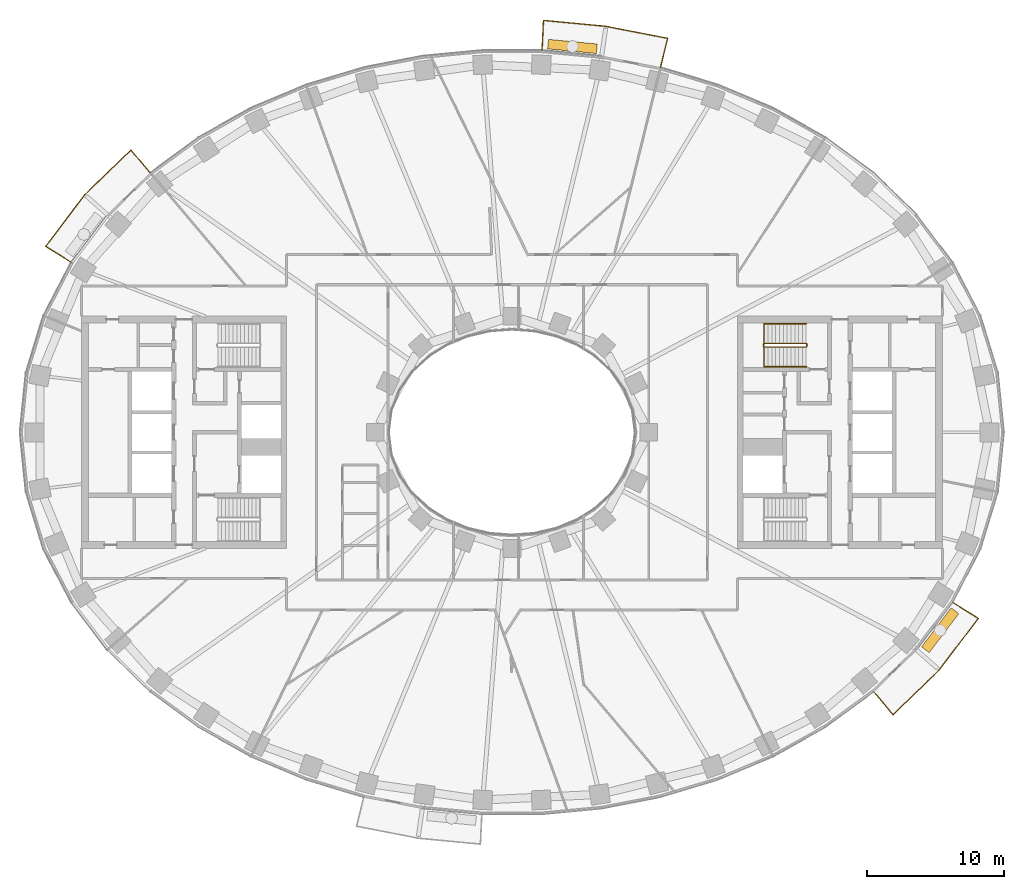
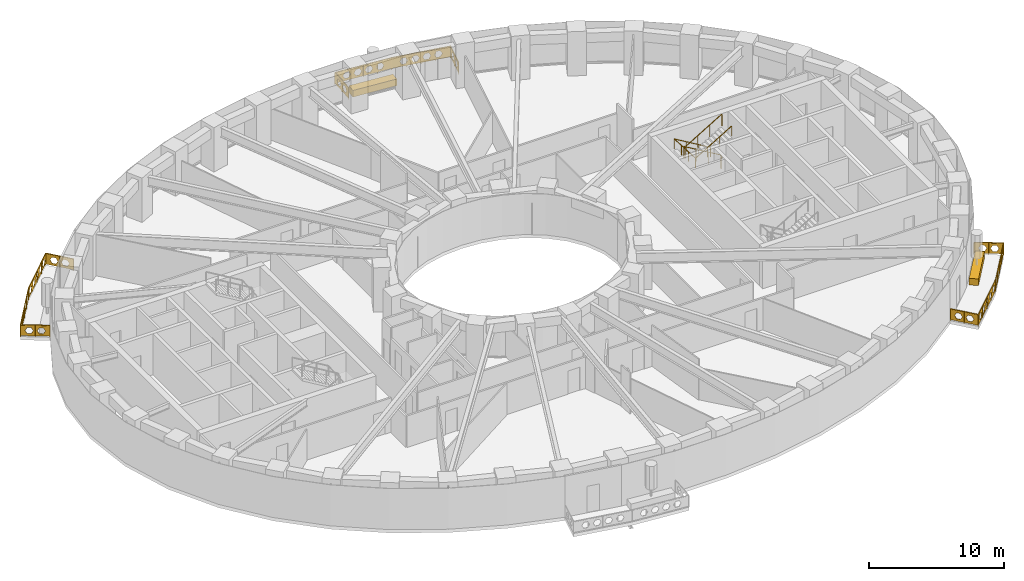
# One storey, part 15 of 16: 5 railings, 2 coverings.
"""IFC4 building model written with IfcOpenShell, lengths in metres."""

from ifc_helpers import new_model, si_unit, direction, frame, origin, origin_2d, place, context, subcontext, project, spatial, polyline, rectangle, outline, extrude, material, type_object, element, save


model = new_model("IFC4")

# Units and contexts
model_context = context("Model", 3, precision=1e-05, world=origin(), true_north=direction((0.0, 1.0)))
body_context = subcontext(model_context, "Body", "Model", "MODEL_VIEW")
ifc_project = project(units=[si_unit("LENGTHUNIT", "METRE"), si_unit("AREAUNIT", "SQUARE_METRE"), si_unit("VOLUMEUNIT", "CUBIC_METRE"), si_unit("PLANEANGLEUNIT", "RADIAN"), si_unit("MASSUNIT", "GRAM", prefix="KILO")], contexts=[model_context])

# Site, building, storey
site_placement = place(None, origin())
site = spatial("IfcSite", under=ifc_project, at=site_placement, CompositionType="ELEMENT")
building_placement = place(site_placement, origin())
building = spatial("IfcBuilding", under=site, at=building_placement, Name="Noorbagh Ring Tower", CompositionType="ELEMENT")
storey_placement = place(building_placement, frame((0.0, 0.0, 58.5)))
storey = spatial("IfcBuildingStorey", under=building, at=storey_placement, Name="L12", CompositionType="ELEMENT", Elevation=58.5)

# Railings
ifc_material_1 = material(Name="Stainless steel", Category="steel")
railing_type_1 = type_object("IfcRailingType", Name="CORE-STAIR-GUARD", PredefinedType="GUARDRAIL", material=ifc_material_1)
railing_1_placement = place(storey_placement, frame((21.580078125, 6.449951171875, 0.0)))
element("IfcRailing", 1, at=railing_1_placement, inside=storey, type_object=railing_type_1, Name="L12 ST3 stair guard", PredefinedType="GUARDRAIL", context=body_context, shape_type="SweptSolid", body=[
    extrude(rectangle(XDim=0.048095703125, YDim=0.048095703125, at=origin_2d()), frame((0.0, 0.0, 1.076171875), z_axis=(0.0, -1.0, 0.0), x_axis=(1.0, 0.0, 0.0)), (0.0, 0.0, 1.0), 0.14990234375),
    extrude(rectangle(XDim=0.048095703125, YDim=0.048095703125, at=origin_2d()), frame((0.0, -0.14990234375, 1.076171875), z_axis=(-0.188775798145, 0.754182335027, 0.628945707965), x_axis=(-0.970072785993, -0.242814311512, 0.0)), (0.0, 0.0, 1.0), 0.26513671875),
    extrude(rectangle(XDim=0.048095703125, YDim=0.048095703125, at=origin_2d()), frame((-0.050048828125, 0.050048828125, 1.24267578125), z_axis=(-0.859308565015, 0.0, 0.511457515432), x_axis=(0.0, -1.0, 0.0)), (0.0, 0.0, 1.0), 3.58447265625),
    extrude(rectangle(XDim=0.048095703125, YDim=0.048095703125, at=origin_2d()), frame((-3.130126953125, 0.050048828125, 3.076171875), z_axis=(-0.707106781187, -0.707106781187, 0.0), x_axis=(0.707106781187, -0.707106781187, 0.0)), (0.0, 0.0, 1.0), 0.07080078125),
    extrude(rectangle(XDim=0.048095703125, YDim=0.048095703125, at=origin_2d()), frame((-3.18017578125, 0.0, 3.076171875), z_axis=(0.0, -1.0, 0.0), x_axis=(1.0, 0.0, 0.0)), (0.0, 0.0, 1.0), 0.14990234375),
    extrude(rectangle(XDim=0.048095703125, YDim=0.048095703125, at=origin_2d()), frame((-3.18017578125, -0.14990234375, 3.076171875), z_axis=(0.27628659633, -0.27628659633, 0.920506074601), x_axis=(0.707106781187, 0.707106781187, 0.0)), (0.0, 0.0, 1.0), 0.18115234375),
    extrude(rectangle(XDim=0.048095703125, YDim=0.048095703125, at=origin_2d()), frame((-3.130126953125, -0.199951171875, 3.24267578125), z_axis=(0.859308565015, 0.0, 0.511457515432), x_axis=(0.0, 1.0, 0.0)), (0.0, 0.0, 1.0), 3.58447265625),
    extrude(rectangle(XDim=0.0419921875, YDim=0.0419921875, at=origin_2d()), origin(), (0.0, 0.0, 1.0), 1.052001953125),
    extrude(rectangle(XDim=0.0419921875, YDim=0.0419921875, at=origin_2d()), frame((-1.07666015625, 0.050048828125, 0.77783203125)), (0.0, 0.0, 1.0), 1.052001953125),
    extrude(rectangle(XDim=0.0419921875, YDim=0.0419921875, at=origin_2d()), frame((-2.103515625, 0.050048828125, 1.388916015625)), (0.0, 0.0, 1.0), 1.052001953125),
    extrude(rectangle(XDim=0.0419921875, YDim=0.0419921875, at=origin_2d()), frame((-3.130126953125, 0.050048828125, 2.0)), (0.0, 0.0, 1.0), 1.052001953125),
    extrude(rectangle(XDim=0.0419921875, YDim=0.0419921875, at=origin_2d()), frame((-3.130126953125, -0.199951171875, 2.166748046875)), (0.0, 0.0, 1.0), 1.052001953125),
    extrude(rectangle(XDim=0.0419921875, YDim=0.0419921875, at=origin_2d()), frame((-2.103515625, -0.199951171875, 2.77783203125)), (0.0, 0.0, 1.0), 1.052001953125),
    extrude(rectangle(XDim=0.0419921875, YDim=0.0419921875, at=origin_2d()), frame((-1.07666015625, -0.199951171875, 3.388916015625)), (0.0, 0.0, 1.0), 1.052001953125),
    extrude(rectangle(XDim=0.0419921875, YDim=0.0419921875, at=origin_2d()), frame((-0.050048828125, -0.199951171875, 4.0)), (0.0, 0.0, 1.0), 1.052001953125),
])
ifc_material_2 = material(Name="Stainless steel", Category="steel")
railing_type_2 = type_object("IfcRailingType", Name="CORE-STAIR-HANDRAIL", PredefinedType="HANDRAIL", material=ifc_material_2)
railing_2_placement = place(storey_placement, frame((21.530029296875, 7.949951171875, 0.166748046875)))
element("IfcRailing", 2, at=railing_2_placement, inside=storey, type_object=railing_type_2, Name="L12 ST3 stair handrail", PredefinedType="HANDRAIL", context=body_context, shape_type="SweptSolid", body=[
    extrude(rectangle(XDim=0.048095703125, YDim=0.048095703125, at=origin_2d()), frame((0.0, 0.0, 0.8759765625), z_axis=(-0.859308565015, 0.0, 0.511457515432), x_axis=(0.0, -1.0, 0.0)), (0.0, 0.0, 1.0), 3.58447265625),
    extrude(rectangle(XDim=0.048095703125, YDim=0.048095703125, at=origin_2d()), frame((-3.080078125, 0.0, 2.708984375), z_axis=(0.0, -0.998601747152, 0.052863509014), x_axis=(1.0, 0.0, 0.0)), (0.0, 0.0, 1.0), 3.154296875),
    extrude(rectangle(XDim=0.048095703125, YDim=0.048095703125, at=origin_2d()), frame((-3.080078125, -3.14990234375, 2.8759765625), z_axis=(0.859308565015, 0.0, 0.511457515432), x_axis=(0.0, 1.0, 0.0)), (0.0, 0.0, 1.0), 3.58447265625),
    extrude(rectangle(XDim=0.0419921875, YDim=0.0419921875, at=origin_2d()), origin(), (0.0, 0.0, 1.0), 0.851806640625),
    extrude(rectangle(XDim=0.0419921875, YDim=0.0419921875, at=origin_2d()), frame((-1.026611328125, 0.0, 0.611083984375)), (0.0, 0.0, 1.0), 0.851806640625),
    extrude(rectangle(XDim=0.0419921875, YDim=0.0419921875, at=origin_2d()), frame((-2.053466796875, 0.0, 1.22216796875)), (0.0, 0.0, 1.0), 0.851806640625),
    extrude(rectangle(XDim=0.0419921875, YDim=0.0419921875, at=origin_2d()), frame((-3.080078125, 0.0, 1.833251953125)), (0.0, 0.0, 1.0), 0.851806640625),
    extrude(rectangle(XDim=0.0419921875, YDim=0.0419921875, at=origin_2d()), frame((-3.080078125, -1.050048828125, 1.888916015625)), (0.0, 0.0, 1.0), 0.851806640625),
    extrude(rectangle(XDim=0.0419921875, YDim=0.0419921875, at=origin_2d()), frame((-3.080078125, -2.099853515625, 1.9443359375)), (0.0, 0.0, 1.0), 0.851806640625),
    extrude(rectangle(XDim=0.0419921875, YDim=0.0419921875, at=origin_2d()), frame((-3.080078125, -3.14990234375, 2.0)), (0.0, 0.0, 1.0), 0.851806640625),
    extrude(rectangle(XDim=0.0419921875, YDim=0.0419921875, at=origin_2d()), frame((-2.053466796875, -3.14990234375, 2.611083984375)), (0.0, 0.0, 1.0), 0.851806640625),
    extrude(rectangle(XDim=0.0419921875, YDim=0.0419921875, at=origin_2d()), frame((-1.026611328125, -3.14990234375, 3.22216796875)), (0.0, 0.0, 1.0), 0.851806640625),
    extrude(rectangle(XDim=0.0419921875, YDim=0.0419921875, at=origin_2d()), frame((0.0, -3.14990234375, 3.833251953125)), (0.0, 0.0, 1.0), 0.851806640625),
])
ifc_material_3 = material(Name="Steel S275 black powder-coated", Category="steel")
railing_type_3 = type_object("IfcRailingType", Name="ENV-GUARD", PredefinedType="GUARDRAIL", material=ifc_material_3)
railing_3_placement = place(storey_placement, frame((10.865234375, 26.6943359375, 0.0)))
element("IfcRailing", 3, at=railing_3_placement, inside=storey, type_object=railing_type_3, Name="Balcony guard BN03", PredefinedType="GUARDRAIL", context=body_context, shape_type="SweptSolid", body=[
    extrude(rectangle(XDim=0.048095703125, YDim=0.048095703125, at=origin_2d()), frame((0.0, 0.0, 1.076171875), z_axis=(0.239848558412, 0.970810315679, 0.0), x_axis=(-0.970810315679, 0.239848558412, 0.0)), (0.0, 0.0, 1.0), 2.20263671875),
    extrude(rectangle(XDim=0.048095703125, YDim=0.048095703125, at=origin_2d()), frame((0.5283203125, 2.138427734375, 1.076171875), z_axis=(-0.981625049064, 0.1908199755, 0.0), x_axis=(-0.1908199755, -0.981625049064, 0.0)), (0.0, 0.0, 1.0), 4.603271484375),
    extrude(rectangle(XDim=0.048095703125, YDim=0.048095703125, at=origin_2d()), frame((-3.990478515625, 3.016845703125, 1.076171875), z_axis=(-0.995477555764, 0.094997031379, 0.0), x_axis=(-0.094997031379, -0.995477555764, 0.0)), (0.0, 0.0, 1.0), 4.59765625),
    extrude(rectangle(XDim=0.048095703125, YDim=0.048095703125, at=origin_2d()), frame((-8.5673828125, 3.45361328125, 1.076171875), z_axis=(-0.047554616162, -0.998868639252, 0.0), x_axis=(0.998868639252, -0.047554616162, 0.0)), (0.0, 0.0, 1.0), 2.202392578125),
    extrude(rectangle(XDim=0.0419921875, YDim=0.0419921875, at=origin_2d()), origin(), (0.0, 0.0, 1.0), 1.052001953125),
    extrude(rectangle(XDim=0.0419921875, YDim=0.0419921875, at=origin_2d()), frame((0.26416015625, 1.0693359375, 0.0)), (0.0, 0.0, 1.0), 1.052001953125),
    extrude(rectangle(XDim=0.0419921875, YDim=0.0419921875, at=origin_2d()), frame((0.5283203125, 2.138427734375, 0.0)), (0.0, 0.0, 1.0), 1.052001953125),
    extrude(rectangle(XDim=0.0419921875, YDim=0.0419921875, at=origin_2d()), frame((-0.601318359375, 2.35791015625, 0.0)), (0.0, 0.0, 1.0), 1.052001953125),
    extrude(rectangle(XDim=0.0419921875, YDim=0.0419921875, at=origin_2d()), frame((-1.73095703125, 2.57763671875, 0.0)), (0.0, 0.0, 1.0), 1.052001953125),
    extrude(rectangle(XDim=0.0419921875, YDim=0.0419921875, at=origin_2d()), frame((-2.86083984375, 2.79736328125, 0.0)), (0.0, 0.0, 1.0), 1.052001953125),
    extrude(rectangle(XDim=0.0419921875, YDim=0.0419921875, at=origin_2d()), frame((-3.990478515625, 3.016845703125, 0.0)), (0.0, 0.0, 1.0), 1.052001953125),
    extrude(rectangle(XDim=0.0419921875, YDim=0.0419921875, at=origin_2d()), frame((-5.134765625, 3.1259765625, 0.0)), (0.0, 0.0, 1.0), 1.052001953125),
    extrude(rectangle(XDim=0.0419921875, YDim=0.0419921875, at=origin_2d()), frame((-6.27880859375, 3.2353515625, 0.0)), (0.0, 0.0, 1.0), 1.052001953125),
    extrude(rectangle(XDim=0.0419921875, YDim=0.0419921875, at=origin_2d()), frame((-7.423095703125, 3.344482421875, 0.0)), (0.0, 0.0, 1.0), 1.052001953125),
    extrude(rectangle(XDim=0.0419921875, YDim=0.0419921875, at=origin_2d()), frame((-8.5673828125, 3.45361328125, 0.0)), (0.0, 0.0, 1.0), 1.052001953125),
    extrude(rectangle(XDim=0.0419921875, YDim=0.0419921875, at=origin_2d()), frame((-8.61962890625, 2.353515625, 0.0)), (0.0, 0.0, 1.0), 1.052001953125),
    extrude(rectangle(XDim=0.0419921875, YDim=0.0419921875, at=origin_2d()), frame((-8.672119140625, 1.253662109375, 0.0)), (0.0, 0.0, 1.0), 1.052001953125),
    extrude(outline(polyline([(0.0, 0.10009765625), (2.20263671875, 0.10009765625), (2.20263671875, 1.031982421875), (0.0, 1.031982421875), (0.0, 0.10009765625)]), holes=[polyline([(0.96142578125, 0.56591796875), (0.806396484375, 0.83447265625), (0.496337890625, 0.83447265625), (0.34130859375, 0.56591796875), (0.496337890625, 0.297607421875), (0.806396484375, 0.297607421875), (0.96142578125, 0.56591796875)]), polyline([(1.861328125, 0.56591796875), (1.706298828125, 0.83447265625), (1.396240234375, 0.83447265625), (1.241455078125, 0.56591796875), (1.396240234375, 0.297607421875), (1.706298828125, 0.297607421875), (1.861328125, 0.56591796875)])]), frame((-0.009765625, 0.00244140625, 0.0), z_axis=(0.970810315679, -0.239848558412, 0.0), x_axis=(0.239848558412, 0.970810315679, 0.0)), (0.0, 0.0, 1.0), 0.02001953125),
    extrude(outline(polyline([(0.0, 0.10009765625), (4.603271484375, 0.10009765625), (4.603271484375, 1.031982421875), (0.0, 1.031982421875), (0.0, 0.10009765625)]), holes=[polyline([(1.26171875, 0.56591796875), (1.106689453125, 0.83447265625), (0.796630859375, 0.83447265625), (0.6416015625, 0.56591796875), (0.796630859375, 0.297607421875), (1.106689453125, 0.297607421875), (1.26171875, 0.56591796875)]), polyline([(2.16162109375, 0.56591796875), (2.006591796875, 0.83447265625), (1.69677734375, 0.83447265625), (1.541748046875, 0.56591796875), (1.69677734375, 0.297607421875), (2.006591796875, 0.297607421875), (2.16162109375, 0.56591796875)]), polyline([(3.061767578125, 0.56591796875), (2.90673828125, 0.83447265625), (2.5966796875, 0.83447265625), (2.441650390625, 0.56591796875), (2.5966796875, 0.297607421875), (2.90673828125, 0.297607421875), (3.061767578125, 0.56591796875)]), polyline([(3.961669921875, 0.56591796875), (3.806640625, 0.83447265625), (3.49658203125, 0.83447265625), (3.341796875, 0.56591796875), (3.49658203125, 0.297607421875), (3.806640625, 0.297607421875), (3.961669921875, 0.56591796875)])]), frame((0.5263671875, 2.128662109375, 0.0), z_axis=(0.1908199755, 0.981625049064, 0.0), x_axis=(-0.981625049064, 0.1908199755, 0.0)), (0.0, 0.0, 1.0), 0.02001953125),
    extrude(outline(polyline([(0.0, 0.10009765625), (4.59765625, 0.10009765625), (4.59765625, 1.031982421875), (0.0, 1.031982421875), (0.0, 0.10009765625)]), holes=[polyline([(1.2587890625, 0.56591796875), (1.103759765625, 0.83447265625), (0.7939453125, 0.83447265625), (0.638916015625, 0.56591796875), (0.7939453125, 0.297607421875), (1.103759765625, 0.297607421875), (1.2587890625, 0.56591796875)]), polyline([(2.158935546875, 0.56591796875), (2.00390625, 0.83447265625), (1.69384765625, 0.83447265625), (1.538818359375, 0.56591796875), (1.69384765625, 0.297607421875), (2.00390625, 0.297607421875), (2.158935546875, 0.56591796875)]), polyline([(3.058837890625, 0.56591796875), (2.90380859375, 0.83447265625), (2.59375, 0.83447265625), (2.43896484375, 0.56591796875), (2.59375, 0.297607421875), (2.90380859375, 0.297607421875), (3.058837890625, 0.56591796875)]), polyline([(3.958740234375, 0.56591796875), (3.803955078125, 0.83447265625), (3.493896484375, 0.83447265625), (3.3388671875, 0.56591796875), (3.493896484375, 0.297607421875), (3.803955078125, 0.297607421875), (3.958740234375, 0.56591796875)])]), frame((-3.991455078125, 3.0068359375, 0.0), z_axis=(0.094997031379, 0.995477555764, 0.0), x_axis=(-0.995477555764, 0.094997031379, 0.0)), (0.0, 0.0, 1.0), 0.02001953125),
    extrude(outline(polyline([(0.0, 0.10009765625), (2.202392578125, 0.10009765625), (2.202392578125, 1.031982421875), (0.0, 1.031982421875), (0.0, 0.10009765625)]), holes=[polyline([(0.961181640625, 0.56591796875), (0.80615234375, 0.83447265625), (0.496337890625, 0.83447265625), (0.34130859375, 0.56591796875), (0.496337890625, 0.297607421875), (0.80615234375, 0.297607421875), (0.961181640625, 0.56591796875)]), polyline([(1.861328125, 0.56591796875), (1.706298828125, 0.83447265625), (1.396240234375, 0.83447265625), (1.2412109375, 0.56591796875), (1.396240234375, 0.297607421875), (1.706298828125, 0.297607421875), (1.861328125, 0.56591796875)])]), frame((-8.557373046875, 3.453125, 0.0), z_axis=(-0.998868639252, 0.047554616162, 0.0), x_axis=(-0.047554616162, -0.998868639252, 0.0)), (0.0, 0.0, 1.0), 0.02001953125),
])
railing_4_placement = place(storey_placement, frame((-26.463134765625, 18.983154296875, 0.0)))
element("IfcRailing", 4, at=railing_4_placement, inside=storey, type_object=railing_type_3, Name="Balcony guard BN06", PredefinedType="GUARDRAIL", context=body_context, shape_type="SweptSolid", body=[
    extrude(rectangle(XDim=0.048095703125, YDim=0.048095703125, at=origin_2d()), frame((0.0, 0.0, 1.076171875), z_axis=(-0.646413574048, 0.762987215677, 0.0), x_axis=(-0.762987215677, -0.646413574048, 0.0)), (0.0, 0.0, 1.0), 2.205322265625),
    extrude(rectangle(XDim=0.048095703125, YDim=0.048095703125, at=origin_2d()), frame((-1.425537109375, 1.6826171875, 1.076171875), z_axis=(-0.717212632946, -0.696854388766, 0.0), x_axis=(0.696854388766, -0.717212632946, 0.0)), (0.0, 0.0, 1.0), 4.700927734375),
    extrude(rectangle(XDim=0.048095703125, YDim=0.048095703125, at=origin_2d()), frame((-4.797119140625, -1.59326171875, 1.076171875), z_axis=(-0.604001613322, -0.796983093362, 0.0), x_axis=(0.796983093362, -0.604001613322, 0.0)), (0.0, 0.0, 1.0), 4.7353515625),
    extrude(rectangle(XDim=0.048095703125, YDim=0.048095703125, at=origin_2d()), frame((-7.6572265625, -5.3671875, 1.076171875), z_axis=(0.844852397829, -0.534999463442, 0.0), x_axis=(0.534999463442, 0.844852397829, 0.0)), (0.0, 0.0, 1.0), 2.207763671875),
    extrude(rectangle(XDim=0.0419921875, YDim=0.0419921875, at=origin_2d()), origin(), (0.0, 0.0, 1.0), 1.052001953125),
    extrude(rectangle(XDim=0.0419921875, YDim=0.0419921875, at=origin_2d()), frame((-0.712890625, 0.84130859375, 0.0)), (0.0, 0.0, 1.0), 1.052001953125),
    extrude(rectangle(XDim=0.0419921875, YDim=0.0419921875, at=origin_2d()), frame((-1.425537109375, 1.6826171875, 0.0)), (0.0, 0.0, 1.0), 1.052001953125),
    extrude(rectangle(XDim=0.0419921875, YDim=0.0419921875, at=origin_2d()), frame((-2.2685546875, 0.86376953125, 0.0)), (0.0, 0.0, 1.0), 1.052001953125),
    extrude(rectangle(XDim=0.0419921875, YDim=0.0419921875, at=origin_2d()), frame((-3.111328125, 0.044677734375, 0.0)), (0.0, 0.0, 1.0), 1.052001953125),
    extrude(rectangle(XDim=0.0419921875, YDim=0.0419921875, at=origin_2d()), frame((-3.9541015625, -0.7744140625, 0.0)), (0.0, 0.0, 1.0), 1.052001953125),
    extrude(rectangle(XDim=0.0419921875, YDim=0.0419921875, at=origin_2d()), frame((-4.797119140625, -1.59326171875, 0.0)), (0.0, 0.0, 1.0), 1.052001953125),
    extrude(rectangle(XDim=0.0419921875, YDim=0.0419921875, at=origin_2d()), frame((-5.51220703125, -2.53662109375, 0.0)), (0.0, 0.0, 1.0), 1.052001953125),
    extrude(rectangle(XDim=0.0419921875, YDim=0.0419921875, at=origin_2d()), frame((-6.22705078125, -3.480224609375, 0.0)), (0.0, 0.0, 1.0), 1.052001953125),
    extrude(rectangle(XDim=0.0419921875, YDim=0.0419921875, at=origin_2d()), frame((-6.942138671875, -4.423828125, 0.0)), (0.0, 0.0, 1.0), 1.052001953125),
    extrude(rectangle(XDim=0.0419921875, YDim=0.0419921875, at=origin_2d()), frame((-7.6572265625, -5.3671875, 0.0)), (0.0, 0.0, 1.0), 1.052001953125),
    extrude(rectangle(XDim=0.0419921875, YDim=0.0419921875, at=origin_2d()), frame((-6.724609375, -5.957763671875, 0.0)), (0.0, 0.0, 1.0), 1.052001953125),
    extrude(rectangle(XDim=0.0419921875, YDim=0.0419921875, at=origin_2d()), frame((-5.7919921875, -6.54833984375, 0.0)), (0.0, 0.0, 1.0), 1.052001953125),
    extrude(outline(polyline([(0.0, 0.10009765625), (2.205322265625, 0.10009765625), (2.205322265625, 1.031982421875), (0.0, 1.031982421875), (0.0, 0.10009765625)]), holes=[polyline([(0.962646484375, 0.56591796875), (0.8076171875, 0.83447265625), (0.49755859375, 0.83447265625), (0.342529296875, 0.56591796875), (0.49755859375, 0.297607421875), (0.8076171875, 0.297607421875), (0.962646484375, 0.56591796875)]), polyline([(1.862548828125, 0.56591796875), (1.707763671875, 0.83447265625), (1.397705078125, 0.83447265625), (1.24267578125, 0.56591796875), (1.397705078125, 0.297607421875), (1.707763671875, 0.297607421875), (1.862548828125, 0.56591796875)])]), frame((-0.007568359375, -0.00634765625, 0.0), z_axis=(0.762987215677, 0.646413574048, 0.0), x_axis=(-0.646413574048, 0.762987215677, 0.0)), (0.0, 0.0, 1.0), 0.02001953125),
    extrude(outline(polyline([(0.0, 0.10009765625), (4.700927734375, 0.10009765625), (4.700927734375, 1.031982421875), (0.0, 1.031982421875), (0.0, 0.10009765625)]), holes=[polyline([(0.860595703125, 0.56591796875), (0.70556640625, 0.83447265625), (0.3955078125, 0.83447265625), (0.240478515625, 0.56591796875), (0.3955078125, 0.297607421875), (0.70556640625, 0.297607421875), (0.860595703125, 0.56591796875)]), polyline([(1.760498046875, 0.56591796875), (1.60546875, 0.83447265625), (1.29541015625, 0.83447265625), (1.140380859375, 0.56591796875), (1.29541015625, 0.297607421875), (1.60546875, 0.297607421875), (1.760498046875, 0.56591796875)]), polyline([(2.660400390625, 0.56591796875), (2.50537109375, 0.83447265625), (2.195556640625, 0.83447265625), (2.04052734375, 0.56591796875), (2.195556640625, 0.297607421875), (2.50537109375, 0.297607421875), (2.660400390625, 0.56591796875)]), polyline([(3.560546875, 0.56591796875), (3.405517578125, 0.83447265625), (3.095458984375, 0.83447265625), (2.9404296875, 0.56591796875), (3.095458984375, 0.297607421875), (3.405517578125, 0.297607421875), (3.560546875, 0.56591796875)]), polyline([(4.46044921875, 0.56591796875), (4.305419921875, 0.83447265625), (3.995361328125, 0.83447265625), (3.840576171875, 0.56591796875), (3.995361328125, 0.297607421875), (4.305419921875, 0.297607421875), (4.46044921875, 0.56591796875)])]), frame((-1.41845703125, 1.675537109375, 0.0), z_axis=(-0.696854388766, 0.717212632946, 0.0), x_axis=(-0.717212632946, -0.696854388766, 0.0)), (0.0, 0.0, 1.0), 0.02001953125),
    extrude(outline(polyline([(0.0, 0.10009765625), (4.7353515625, 0.10009765625), (4.7353515625, 1.031982421875), (0.0, 1.031982421875), (0.0, 0.10009765625)]), holes=[polyline([(0.877685546875, 0.56591796875), (0.72265625, 0.83447265625), (0.41259765625, 0.83447265625), (0.257568359375, 0.56591796875), (0.41259765625, 0.297607421875), (0.72265625, 0.297607421875), (0.877685546875, 0.56591796875)]), polyline([(1.777587890625, 0.56591796875), (1.62255859375, 0.83447265625), (1.312744140625, 0.83447265625), (1.15771484375, 0.56591796875), (1.312744140625, 0.297607421875), (1.62255859375, 0.297607421875), (1.777587890625, 0.56591796875)]), polyline([(2.677734375, 0.56591796875), (2.522705078125, 0.83447265625), (2.212646484375, 0.83447265625), (2.0576171875, 0.56591796875), (2.212646484375, 0.297607421875), (2.522705078125, 0.297607421875), (2.677734375, 0.56591796875)]), polyline([(3.57763671875, 0.56591796875), (3.422607421875, 0.83447265625), (3.112548828125, 0.83447265625), (2.95751953125, 0.56591796875), (3.112548828125, 0.297607421875), (3.422607421875, 0.297607421875), (3.57763671875, 0.56591796875)]), polyline([(4.4775390625, 0.56591796875), (4.32275390625, 0.83447265625), (4.0126953125, 0.83447265625), (3.857666015625, 0.56591796875), (4.0126953125, 0.297607421875), (4.32275390625, 0.297607421875), (4.4775390625, 0.56591796875)])]), frame((-4.7890625, -1.599365234375, 0.0), z_axis=(-0.796983093362, 0.604001613322, 0.0), x_axis=(-0.604001613322, -0.796983093362, 0.0)), (0.0, 0.0, 1.0), 0.02001953125),
    extrude(outline(polyline([(0.0, 0.10009765625), (2.207763671875, 0.10009765625), (2.207763671875, 1.031982421875), (0.0, 1.031982421875), (0.0, 0.10009765625)]), holes=[polyline([(0.9638671875, 0.56591796875), (0.808837890625, 0.83447265625), (0.498779296875, 0.83447265625), (0.343994140625, 0.56591796875), (0.498779296875, 0.297607421875), (0.808837890625, 0.297607421875), (0.9638671875, 0.56591796875)]), polyline([(1.86376953125, 0.56591796875), (1.708984375, 0.83447265625), (1.39892578125, 0.83447265625), (1.243896484375, 0.56591796875), (1.39892578125, 0.297607421875), (1.708984375, 0.297607421875), (1.86376953125, 0.56591796875)])]), frame((-7.65185546875, -5.358642578125, 0.0), z_axis=(-0.534999463442, -0.844852397829, 0.0), x_axis=(0.844852397829, -0.534999463442, 0.0)), (0.0, 0.0, 1.0), 0.02001953125),
])
railing_5_placement = place(storey_placement, frame((26.463134765625, -18.983154296875, 0.0)))
element("IfcRailing", 5, at=railing_5_placement, inside=storey, type_object=railing_type_3, Name="Balcony guard BS06", PredefinedType="GUARDRAIL", context=body_context, shape_type="SweptSolid", body=[
    extrude(rectangle(XDim=0.048095703125, YDim=0.048095703125, at=origin_2d()), frame((0.0, 0.0, 1.076171875), z_axis=(0.646413574048, -0.762987215677, 0.0), x_axis=(0.762987215677, 0.646413574048, 0.0)), (0.0, 0.0, 1.0), 2.205322265625),
    extrude(rectangle(XDim=0.048095703125, YDim=0.048095703125, at=origin_2d()), frame((1.425537109375, -1.6826171875, 1.076171875), z_axis=(0.717212632946, 0.696854388766, 0.0), x_axis=(-0.696854388766, 0.717212632946, 0.0)), (0.0, 0.0, 1.0), 4.700927734375),
    extrude(rectangle(XDim=0.048095703125, YDim=0.048095703125, at=origin_2d()), frame((4.797119140625, 1.59326171875, 1.076171875), z_axis=(0.604001613322, 0.796983093362, 0.0), x_axis=(-0.796983093362, 0.604001613322, 0.0)), (0.0, 0.0, 1.0), 4.7353515625),
    extrude(rectangle(XDim=0.048095703125, YDim=0.048095703125, at=origin_2d()), frame((7.6572265625, 5.3671875, 1.076171875), z_axis=(-0.844852397829, 0.534999463442, 0.0), x_axis=(-0.534999463442, -0.844852397829, 0.0)), (0.0, 0.0, 1.0), 2.207763671875),
    extrude(rectangle(XDim=0.0419921875, YDim=0.0419921875, at=origin_2d()), origin(), (0.0, 0.0, 1.0), 1.052001953125),
    extrude(rectangle(XDim=0.0419921875, YDim=0.0419921875, at=origin_2d()), frame((0.712890625, -0.84130859375, 0.0)), (0.0, 0.0, 1.0), 1.052001953125),
    extrude(rectangle(XDim=0.0419921875, YDim=0.0419921875, at=origin_2d()), frame((1.425537109375, -1.6826171875, 0.0)), (0.0, 0.0, 1.0), 1.052001953125),
    extrude(rectangle(XDim=0.0419921875, YDim=0.0419921875, at=origin_2d()), frame((2.2685546875, -0.86376953125, 0.0)), (0.0, 0.0, 1.0), 1.052001953125),
    extrude(rectangle(XDim=0.0419921875, YDim=0.0419921875, at=origin_2d()), frame((3.111328125, -0.044677734375, 0.0)), (0.0, 0.0, 1.0), 1.052001953125),
    extrude(rectangle(XDim=0.0419921875, YDim=0.0419921875, at=origin_2d()), frame((3.9541015625, 0.7744140625, 0.0)), (0.0, 0.0, 1.0), 1.052001953125),
    extrude(rectangle(XDim=0.0419921875, YDim=0.0419921875, at=origin_2d()), frame((4.797119140625, 1.59326171875, 0.0)), (0.0, 0.0, 1.0), 1.052001953125),
    extrude(rectangle(XDim=0.0419921875, YDim=0.0419921875, at=origin_2d()), frame((5.51220703125, 2.53662109375, 0.0)), (0.0, 0.0, 1.0), 1.052001953125),
    extrude(rectangle(XDim=0.0419921875, YDim=0.0419921875, at=origin_2d()), frame((6.22705078125, 3.480224609375, 0.0)), (0.0, 0.0, 1.0), 1.052001953125),
    extrude(rectangle(XDim=0.0419921875, YDim=0.0419921875, at=origin_2d()), frame((6.942138671875, 4.423828125, 0.0)), (0.0, 0.0, 1.0), 1.052001953125),
    extrude(rectangle(XDim=0.0419921875, YDim=0.0419921875, at=origin_2d()), frame((7.6572265625, 5.3671875, 0.0)), (0.0, 0.0, 1.0), 1.052001953125),
    extrude(rectangle(XDim=0.0419921875, YDim=0.0419921875, at=origin_2d()), frame((6.724609375, 5.957763671875, 0.0)), (0.0, 0.0, 1.0), 1.052001953125),
    extrude(rectangle(XDim=0.0419921875, YDim=0.0419921875, at=origin_2d()), frame((5.7919921875, 6.54833984375, 0.0)), (0.0, 0.0, 1.0), 1.052001953125),
    extrude(outline(polyline([(0.0, 0.10009765625), (2.205322265625, 0.10009765625), (2.205322265625, 1.031982421875), (0.0, 1.031982421875), (0.0, 0.10009765625)]), holes=[polyline([(0.962646484375, 0.56591796875), (0.8076171875, 0.83447265625), (0.49755859375, 0.83447265625), (0.342529296875, 0.56591796875), (0.49755859375, 0.297607421875), (0.8076171875, 0.297607421875), (0.962646484375, 0.56591796875)]), polyline([(1.862548828125, 0.56591796875), (1.707763671875, 0.83447265625), (1.397705078125, 0.83447265625), (1.24267578125, 0.56591796875), (1.397705078125, 0.297607421875), (1.707763671875, 0.297607421875), (1.862548828125, 0.56591796875)])]), frame((0.007568359375, 0.00634765625, 0.0), z_axis=(-0.762987215677, -0.646413574048, 0.0), x_axis=(0.646413574048, -0.762987215677, 0.0)), (0.0, 0.0, 1.0), 0.02001953125),
    extrude(outline(polyline([(0.0, 0.10009765625), (4.700927734375, 0.10009765625), (4.700927734375, 1.031982421875), (0.0, 1.031982421875), (0.0, 0.10009765625)]), holes=[polyline([(0.860595703125, 0.56591796875), (0.70556640625, 0.83447265625), (0.3955078125, 0.83447265625), (0.240478515625, 0.56591796875), (0.3955078125, 0.297607421875), (0.70556640625, 0.297607421875), (0.860595703125, 0.56591796875)]), polyline([(1.760498046875, 0.56591796875), (1.60546875, 0.83447265625), (1.29541015625, 0.83447265625), (1.140380859375, 0.56591796875), (1.29541015625, 0.297607421875), (1.60546875, 0.297607421875), (1.760498046875, 0.56591796875)]), polyline([(2.660400390625, 0.56591796875), (2.50537109375, 0.83447265625), (2.195556640625, 0.83447265625), (2.04052734375, 0.56591796875), (2.195556640625, 0.297607421875), (2.50537109375, 0.297607421875), (2.660400390625, 0.56591796875)]), polyline([(3.560546875, 0.56591796875), (3.405517578125, 0.83447265625), (3.095458984375, 0.83447265625), (2.9404296875, 0.56591796875), (3.095458984375, 0.297607421875), (3.405517578125, 0.297607421875), (3.560546875, 0.56591796875)]), polyline([(4.46044921875, 0.56591796875), (4.305419921875, 0.83447265625), (3.995361328125, 0.83447265625), (3.840576171875, 0.56591796875), (3.995361328125, 0.297607421875), (4.305419921875, 0.297607421875), (4.46044921875, 0.56591796875)])]), frame((1.41845703125, -1.675537109375, 0.0), z_axis=(0.696854388766, -0.717212632946, 0.0), x_axis=(0.717212632946, 0.696854388766, 0.0)), (0.0, 0.0, 1.0), 0.02001953125),
    extrude(outline(polyline([(0.0, 0.10009765625), (4.7353515625, 0.10009765625), (4.7353515625, 1.031982421875), (0.0, 1.031982421875), (0.0, 0.10009765625)]), holes=[polyline([(0.877685546875, 0.56591796875), (0.72265625, 0.83447265625), (0.41259765625, 0.83447265625), (0.257568359375, 0.56591796875), (0.41259765625, 0.297607421875), (0.72265625, 0.297607421875), (0.877685546875, 0.56591796875)]), polyline([(1.777587890625, 0.56591796875), (1.62255859375, 0.83447265625), (1.312744140625, 0.83447265625), (1.15771484375, 0.56591796875), (1.312744140625, 0.297607421875), (1.62255859375, 0.297607421875), (1.777587890625, 0.56591796875)]), polyline([(2.677734375, 0.56591796875), (2.522705078125, 0.83447265625), (2.212646484375, 0.83447265625), (2.0576171875, 0.56591796875), (2.212646484375, 0.297607421875), (2.522705078125, 0.297607421875), (2.677734375, 0.56591796875)]), polyline([(3.57763671875, 0.56591796875), (3.422607421875, 0.83447265625), (3.112548828125, 0.83447265625), (2.95751953125, 0.56591796875), (3.112548828125, 0.297607421875), (3.422607421875, 0.297607421875), (3.57763671875, 0.56591796875)]), polyline([(4.4775390625, 0.56591796875), (4.32275390625, 0.83447265625), (4.0126953125, 0.83447265625), (3.857666015625, 0.56591796875), (4.0126953125, 0.297607421875), (4.32275390625, 0.297607421875), (4.4775390625, 0.56591796875)])]), frame((4.7890625, 1.599365234375, 0.0), z_axis=(0.796983093362, -0.604001613322, 0.0), x_axis=(0.604001613322, 0.796983093362, 0.0)), (0.0, 0.0, 1.0), 0.02001953125),
    extrude(outline(polyline([(0.0, 0.10009765625), (2.207763671875, 0.10009765625), (2.207763671875, 1.031982421875), (0.0, 1.031982421875), (0.0, 0.10009765625)]), holes=[polyline([(0.9638671875, 0.56591796875), (0.808837890625, 0.83447265625), (0.498779296875, 0.83447265625), (0.343994140625, 0.56591796875), (0.498779296875, 0.297607421875), (0.808837890625, 0.297607421875), (0.9638671875, 0.56591796875)]), polyline([(1.86376953125, 0.56591796875), (1.708984375, 0.83447265625), (1.39892578125, 0.83447265625), (1.243896484375, 0.56591796875), (1.39892578125, 0.297607421875), (1.708984375, 0.297607421875), (1.86376953125, 0.56591796875)])]), frame((7.65185546875, 5.358642578125, 0.0), z_axis=(0.534999463442, 0.844852397829, 0.0), x_axis=(-0.844852397829, 0.534999463442, 0.0)), (0.0, 0.0, 1.0), 0.02001953125),
])

# Coverings
ifc_material_4 = material(Name="Concrete C30/37 planter with soil", Category="concrete")
covering_type = type_object("IfcCoveringType", Name="ENV-PLANTER", PredefinedType="CLADDING", material=ifc_material_4)
covering_1_placement = place(storey_placement, frame((4.423828125, 28.2373046875, 0.0), z_axis=(0.0, 0.0, 1.0), x_axis=(-0.995476497323, 0.095008122171, 0.0)))
element("IfcCovering", 6, at=covering_1_placement, inside=storey, type_object=covering_type, Name="PLANTER BN03", ObjectType="PLANTER", PredefinedType="CLADDING", context=body_context, shape_type="SweptSolid", body=[
    extrude(rectangle(XDim=3.58642578125, YDim=0.699951171875, at=origin_2d()), origin(), (0.0, 0.0, 1.0), 0.60009765625),
])
covering_2_placement = place(storey_placement, frame((31.329833984375, -14.4833984375, 0.0), z_axis=(0.0, 0.0, 1.0), x_axis=(0.604020184358, 0.796969018776, 0.0)))
element("IfcCovering", 7, at=covering_2_placement, inside=storey, type_object=covering_type, Name="PLANTER BS06", ObjectType="PLANTER", PredefinedType="CLADDING", context=body_context, shape_type="SweptSolid", body=[
    extrude(rectangle(XDim=3.583251953125, YDim=0.699951171875, at=origin_2d()), origin(), (0.0, 0.0, 1.0), 0.60009765625),
])

save(model, "model.ifc")
